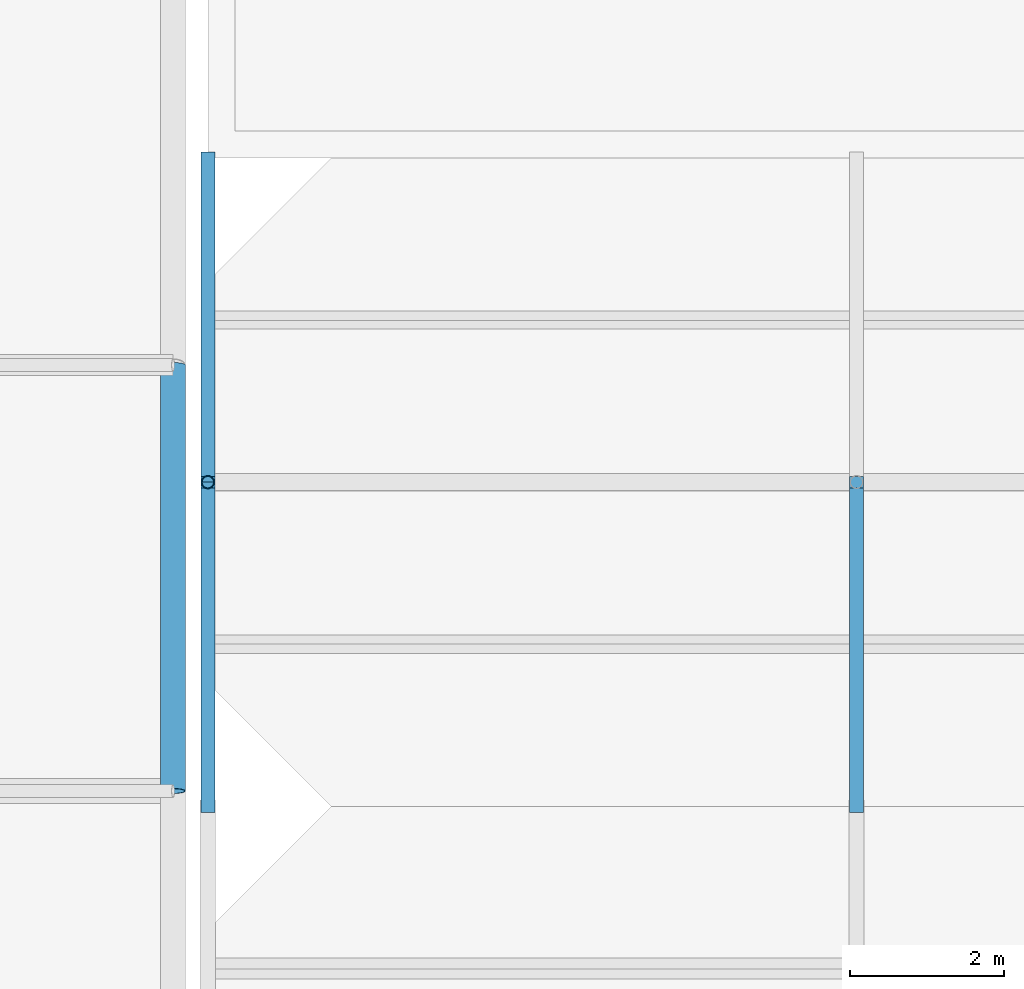
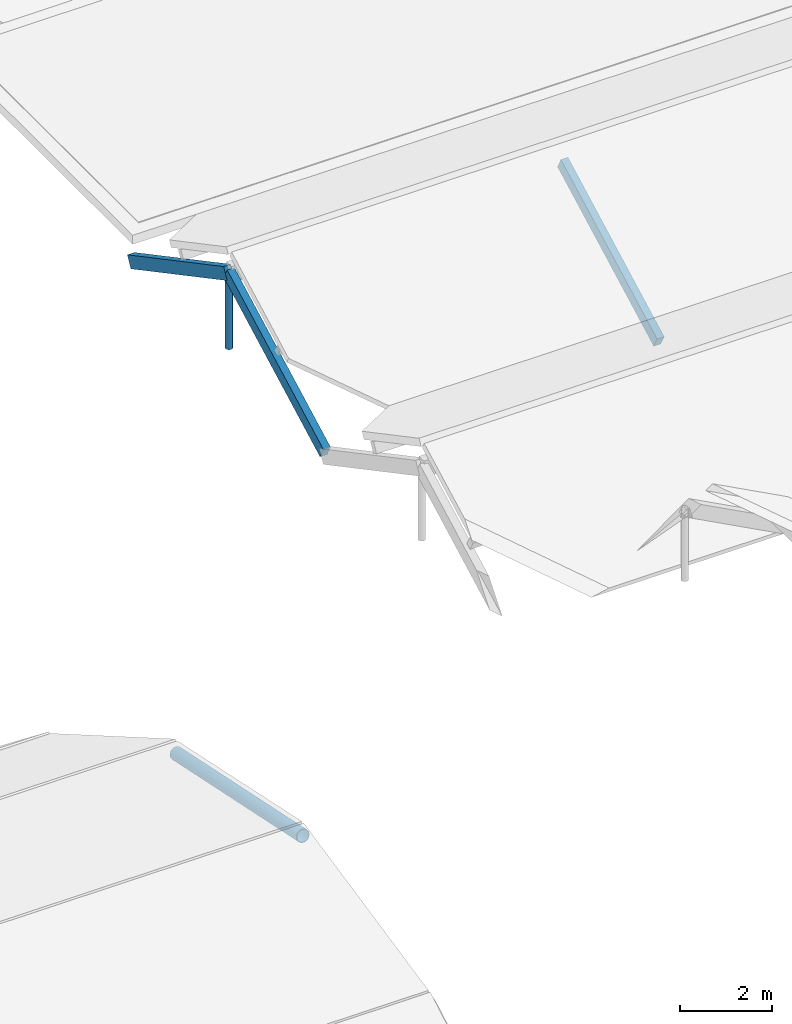
# One storey, part 33 of 82: 5 members.
"""IFC4 building model written with IfcOpenShell, lengths in metres."""

from ifc_helpers import new_model, si_unit, direction, frame, origin, origin_2d, place, context, subcontext, project, spatial, rectangle, hollow_circle, extrude, material, material_profile, profile_set, type_object, element, save


model = new_model("IFC4")

# Units and contexts
model_context = context("Model", 3, precision=1e-05, world=origin(), true_north=direction((0.0, 1.0)))
body_context = subcontext(model_context, "Body", "Model", "MODEL_VIEW")
ifc_project = project(units=[si_unit("LENGTHUNIT", "METRE"), si_unit("AREAUNIT", "SQUARE_METRE"), si_unit("VOLUMEUNIT", "CUBIC_METRE"), si_unit("PLANEANGLEUNIT", "RADIAN"), si_unit("MASSUNIT", "GRAM", prefix="KILO")], contexts=[model_context])

# Site, building, storey
site_placement = place(None, origin())
site = spatial("IfcSite", under=ifc_project, at=site_placement, CompositionType="ELEMENT")
building_placement = place(site_placement, origin())
building = spatial("IfcBuilding", under=site, at=building_placement, Name="Bramfleet General Hospital", CompositionType="ELEMENT")
storey_placement = place(building_placement, frame((0.0, 0.0, 34.199951171875)))
storey = spatial("IfcBuildingStorey", under=building, at=storey_placement, Name="Roof", CompositionType="ELEMENT", Elevation=34.199951171875)

# Members
ifc_material_1 = material(Name="Structural timber GL28h", Category="wood")
ifc_material_profile_1 = material_profile(ifc_material_1, rectangle(XDim=0.179931640625, YDim=0.320068359375, at=origin_2d()), Name="GL28h 320x180")
ifc_profile_set_1 = profile_set([ifc_material_profile_1], Name="Structural timber GL28h")
member_type_1 = type_object("IfcMemberType", Name="MEM-RF-GL320", PredefinedType="RAFTER", material=ifc_profile_set_1)
for number, where, z_axis, x_axis, name in (
    (1, (92.39990234375, 33.60009765625, -0.671875), (0.0, 0.882947536541, 0.469471668705), (-1.0, 0.0, 0.0), "Patient House PH-10 South Glulam Rafter 0"),
    (2, (92.39990234375, 37.800048828125, 1.561279296875), (0.0, 0.882947536541, -0.469471668705), (-1.0, 0.0, 0.0), "Patient House PH-10 North Glulam Rafter 0"),
    (3, (100.800048828125, 33.60009765625, -0.671875), (0.0, 0.882947536541, 0.469471668705), (-1.0, 0.0, 0.0), "Patient House PH-10 South Glulam Rafter 1"),
):
    element("IfcMember", number, at=place(storey_placement, frame(where, z_axis=z_axis, x_axis=x_axis)), inside=storey, type_object=member_type_1, Name=name, PredefinedType="RAFTER", context=body_context, shape_type="SweptSolid", body=[
        extrude(rectangle(XDim=0.179931640625, YDim=0.320068359375, at=origin_2d()), origin(), (0.0, 0.0, 1.0), 4.7568359375),
    ])
ifc_material_2 = material(Name="Steel S355", Category="steel")
ifc_material_profile_2 = material_profile(ifc_material_2, hollow_circle(Radius=0.084228515625, WallThickness=0.008056640625, at=origin_2d()), Name="CHS 168.3x8.0")
ifc_profile_set_2 = profile_set([ifc_material_profile_2], Name="Steel S355")
member_type_2 = type_object("IfcMemberType", Name="MEM-SF-DG1", PredefinedType="STRUT", material=ifc_profile_set_2)
member_1_placement = place(storey_placement, frame((92.39990234375, 37.800048828125, -0.43994140625), z_axis=(0.0, 0.0, 1.0), x_axis=(1.0, 0.0, 0.0)))
element("IfcMember", 4, at=member_1_placement, inside=storey, type_object=member_type_2, Name="Patient House PH-10 Ridge Timber Post 0", PredefinedType="STRUT", context=body_context, shape_type="SweptSolid", body=[
    extrude(hollow_circle(Radius=0.084228515625, WallThickness=0.008056640625, at=origin_2d()), origin(), (0.0, 0.0, 1.0), 2.001220703125),
])
ifc_material_profile_3 = material_profile(ifc_material_2, hollow_circle(Radius=0.161865234375, WallThickness=0.012451171875, at=origin_2d()), Name="CHS 323.9x12.5")
ifc_profile_set_3 = profile_set([ifc_material_profile_3], Name="Steel S355")
member_type_3 = type_object("IfcMemberType", Name="MEM-SF-TC1", PredefinedType="CHORD", material=ifc_profile_set_3)
member_2_placement = place(storey_placement, frame((91.949951171875, 33.800048828125, -10.849853515625), z_axis=(0.0, 0.97887216089, -0.204473207621), x_axis=(-1.0, 0.0, 0.0)))
element("IfcMember", 5, at=member_2_placement, inside=storey, type_object=member_type_3, Name="Space Frame Top Chord Y 7-3", PredefinedType="CHORD", context=body_context, shape_type="SweptSolid", body=[
    extrude(hollow_circle(Radius=0.161865234375, WallThickness=0.012451171875, at=origin_2d()), origin(), (0.0, 0.0, 1.0), 5.6357421875),
])

save(model, "model.ifc")
